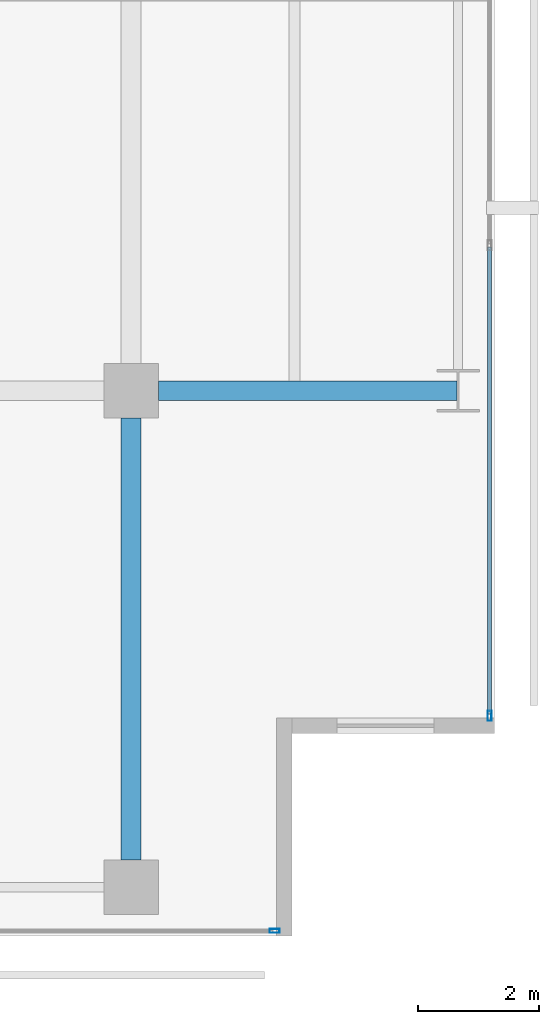
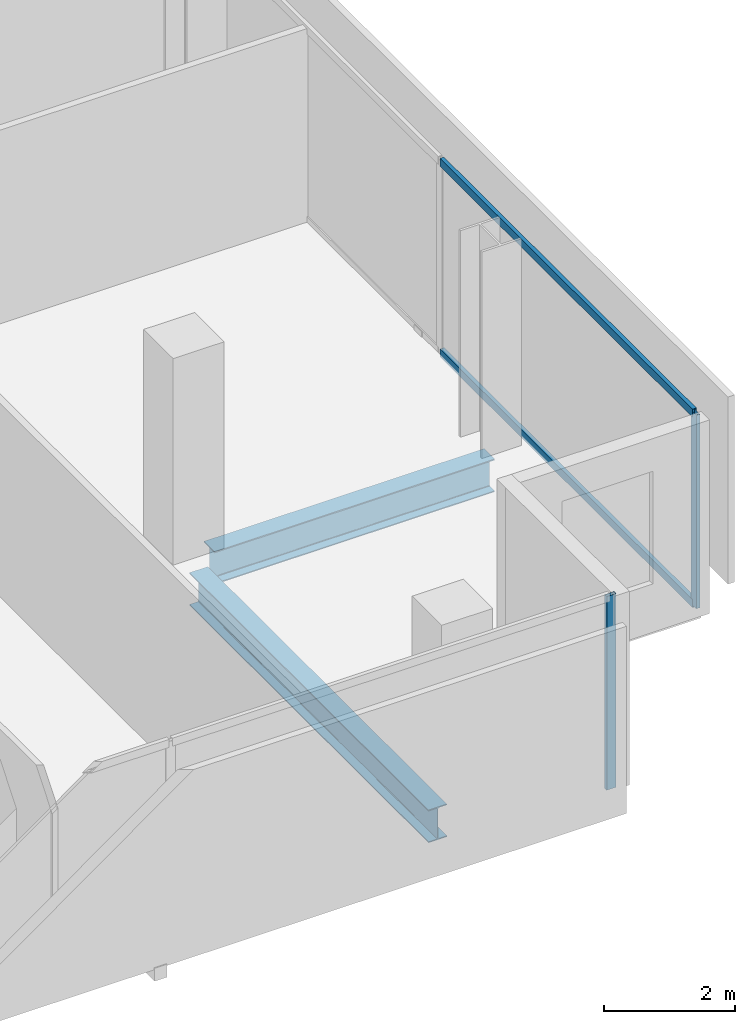
# One storey, part 16 of 40: 4 members, 2 beams, 2 elements without a shape of their own.
"""IFC4 building model written with IfcOpenShell, lengths in metres."""

from ifc_helpers import new_model, si_unit, direction, frame, origin, origin_2d, place, context, subcontext, project, spatial, hollow_rectangle, i_section, extrude, material, layer, layer_set, material_profile, profile_set, type_object, element, aggregate, save


model = new_model("IFC4")

# Units and contexts
model_context = context("Model", 3, precision=1e-05, world=origin(), true_north=direction((0.0, 1.0)))
body_context = subcontext(model_context, "Body", "Model", "MODEL_VIEW")
ifc_project = project(units=[si_unit("LENGTHUNIT", "METRE"), si_unit("AREAUNIT", "SQUARE_METRE"), si_unit("VOLUMEUNIT", "CUBIC_METRE"), si_unit("PLANEANGLEUNIT", "RADIAN"), si_unit("MASSUNIT", "GRAM", prefix="KILO")], contexts=[model_context])

# Site, building, storey
site_placement = place(None, origin())
site = spatial("IfcSite", under=ifc_project, at=site_placement, CompositionType="ELEMENT")
building_placement = place(site_placement, origin())
building = spatial("IfcBuilding", under=site, at=building_placement, Name="Maruvema Waterfront Hotel and Observation Tower", CompositionType="ELEMENT")
storey_placement = place(building_placement, frame((0.0, 0.0, 80.85009765625)))
storey = spatial("IfcBuildingStorey", under=building, at=storey_placement, Name="L19", CompositionType="ELEMENT", Elevation=80.85009765625)

# Curtain wall, members
ifc_material_1 = material(Name="Anodised bronze aluminium and solar-control low-E IGU", Category="aluminium")
ifc_layer = layer(ifc_material_1, 0.159912109375, Name="Zone 1 Bronze Inner Thermal Curtain Wall System CW-02")
ifc_layer_set = layer_set([ifc_layer], Name="Anodised bronze aluminium and solar-control low-E IGU")
curtain_wall_type = type_object("IfcCurtainWallType", Name="Zone 1 Bronze Inner Thermal Curtain Wall System CW-02", PredefinedType="USERDEFINED", material=ifc_layer_set)
curtain_wall_1_placement = place(storey_placement, origin())
curtain_wall_1 = element("IfcCurtainWall", 1, at=curtain_wall_1_placement, inside=storey, type_object=curtain_wall_type, Name="L19 Curtain Wall CW-L19-E", ObjectType="UNITISED CURTAIN WALL", PredefinedType="USERDEFINED")
ifc_material_2 = material(Name="Anodised architectural bronze aluminium", Category="aluminium")
ifc_material_profile_1 = material_profile(ifc_material_2, hollow_rectangle(XDim=0.070068359375, YDim=0.14990234375, WallThickness=0.00390625, at=origin_2d()), Name="ALU-T70x150")
ifc_profile_set_1 = profile_set([ifc_material_profile_1], Name="Anodised architectural bronze aluminium")
member_type_1 = type_object("IfcMemberType", Name="Curtain Wall Horizontal Transom ALU-T70x150", PredefinedType="USERDEFINED", material=ifc_profile_set_1)
member_1_placement = place(storey_placement, frame((64.719970703125, 3.659912109375, 0.02978515625), z_axis=(0.0, 1.0, 0.0), x_axis=(-1.0, 0.0, 0.0)))
member_1 = element("IfcMember", 2, at=member_1_placement, type_object=member_type_1, Name="CW-02 transom 1.1", ObjectType="TRANSOM", PredefinedType="USERDEFINED", context=body_context, shape_type="SweptSolid", body=[
    extrude(hollow_rectangle(XDim=0.070068359375, YDim=0.14990234375, WallThickness=0.00390625, at=origin_2d()), origin(), (0.0, 0.0, 1.0), 7.710205078125),
])
member_2_placement = place(storey_placement, frame((64.719970703125, 3.659912109375, 3.579833984375), z_axis=(0.0, 1.0, 0.0), x_axis=(-1.0, 0.0, 0.0)))
member_2 = element("IfcMember", 3, at=member_2_placement, type_object=member_type_1, Name="CW-02 transom 1.2", ObjectType="TRANSOM", PredefinedType="USERDEFINED", context=body_context, shape_type="SweptSolid", body=[
    extrude(hollow_rectangle(XDim=0.070068359375, YDim=0.14990234375, WallThickness=0.00390625, at=origin_2d()), origin(), (0.0, 0.0, 1.0), 7.710205078125),
])

# Curtain wall, member
curtain_wall_2_placement = place(storey_placement, origin())
curtain_wall_2 = element("IfcCurtainWall", 4, at=curtain_wall_2_placement, inside=storey, type_object=curtain_wall_type, Name="L19 Curtain Wall CW-L19-S", ObjectType="UNITISED CURTAIN WALL", PredefinedType="USERDEFINED")
ifc_material_3 = material(Name="Anodised architectural bronze aluminium", Category="aluminium")
ifc_material_profile_2 = material_profile(ifc_material_3, hollow_rectangle(XDim=0.06494140625, YDim=0.1650390625, WallThickness=0.00390625, at=origin_2d()), Name="ALU-M65x165")
ifc_profile_set_2 = profile_set([ifc_material_profile_2], Name="Anodised architectural bronze aluminium")
member_type_2 = type_object("IfcMemberType", Name="Curtain Wall Primary Mullion ALU-M65x165", PredefinedType="MULLION", material=ifc_profile_set_2)
member_3_placement = place(storey_placement, frame((61.169921875, 0.080078125, 0.0), z_axis=(0.0, 0.0, 1.0), x_axis=(0.0, 1.0, 0.0)))
member_3 = element("IfcMember", 5, at=member_3_placement, type_object=member_type_2, Name="CW-02 mullion 7", PredefinedType="MULLION", context=body_context, shape_type="SweptSolid", body=[
    extrude(hollow_rectangle(XDim=0.06494140625, YDim=0.1650390625, WallThickness=0.00390625, at=origin_2d()), origin(), (0.0, 0.0, 1.0), 3.60986328125),
])
aggregate(curtain_wall_2, [member_3])

# Member
member_4_placement = place(storey_placement, frame((64.719970703125, 3.6298828125, 0.0), z_axis=(0.0, 0.0, 1.0), x_axis=(-1.0, 0.0, 0.0)))
member_4 = element("IfcMember", 6, at=member_4_placement, type_object=member_type_2, Name="CW-02 mullion 1", PredefinedType="MULLION", context=body_context, shape_type="SweptSolid", body=[
    extrude(hollow_rectangle(XDim=0.06494140625, YDim=0.1650390625, WallThickness=0.00390625, at=origin_2d()), origin(), (0.0, 0.0, 1.0), 3.60986328125),
])

aggregate(curtain_wall_1, [member_4, member_1, member_2])

# Beams
ifc_material_4 = material(Name="Steel ASTM A572 Grade 50", Category="steel")
ifc_material_profile_3 = material_profile(ifc_material_4, i_section(OverallWidth=0.323974609375, OverallDepth=0.611083984375, WebThickness=0.0126953125, FlangeThickness=0.01904296875, FilletRadius=0.01806640625, at=origin_2d()), Name="W610x155.0")
ifc_profile_set_3 = profile_set([ifc_material_profile_3], Name="Steel ASTM A572 Grade 50")
beam_type = type_object("IfcBeamType", Name="Primary Floor Girder W610x155.0", PredefinedType="BEAM", material=ifc_profile_set_3)
beam_1_placement = place(storey_placement, frame((59.25, 9.0, -0.545654296875), z_axis=(1.0, 0.0, 0.0), x_axis=(0.0, 1.0, 0.0)))
element("IfcBeam", 7, at=beam_1_placement, inside=storey, type_object=beam_type, Name="L19 Floor Girder EW-12", PredefinedType="BEAM", context=body_context, shape_type="SweptSolid", body=[
    extrude(i_section(OverallWidth=0.323974609375, OverallDepth=0.611083984375, WebThickness=0.0126953125, FlangeThickness=0.01904296875, FilletRadius=0.01806640625, at=origin_2d()), origin(), (0.0, 0.0, 1.0), 4.93603515625),
])
beam_2_placement = place(storey_placement, frame((58.800048828125, 1.25, -0.545654296875), z_axis=(0.0, 1.0, 0.0), x_axis=(-1.0, 0.0, 0.0)))
element("IfcBeam", 8, at=beam_2_placement, inside=storey, type_object=beam_type, Name="L19 Floor Girder NS-27", PredefinedType="BEAM", context=body_context, shape_type="SweptSolid", body=[
    extrude(i_section(OverallWidth=0.323974609375, OverallDepth=0.611083984375, WebThickness=0.0126953125, FlangeThickness=0.01904296875, FilletRadius=0.01806640625, at=origin_2d()), origin(), (0.0, 0.0, 1.0), 7.300048828125),
])

save(model, "model.ifc")
